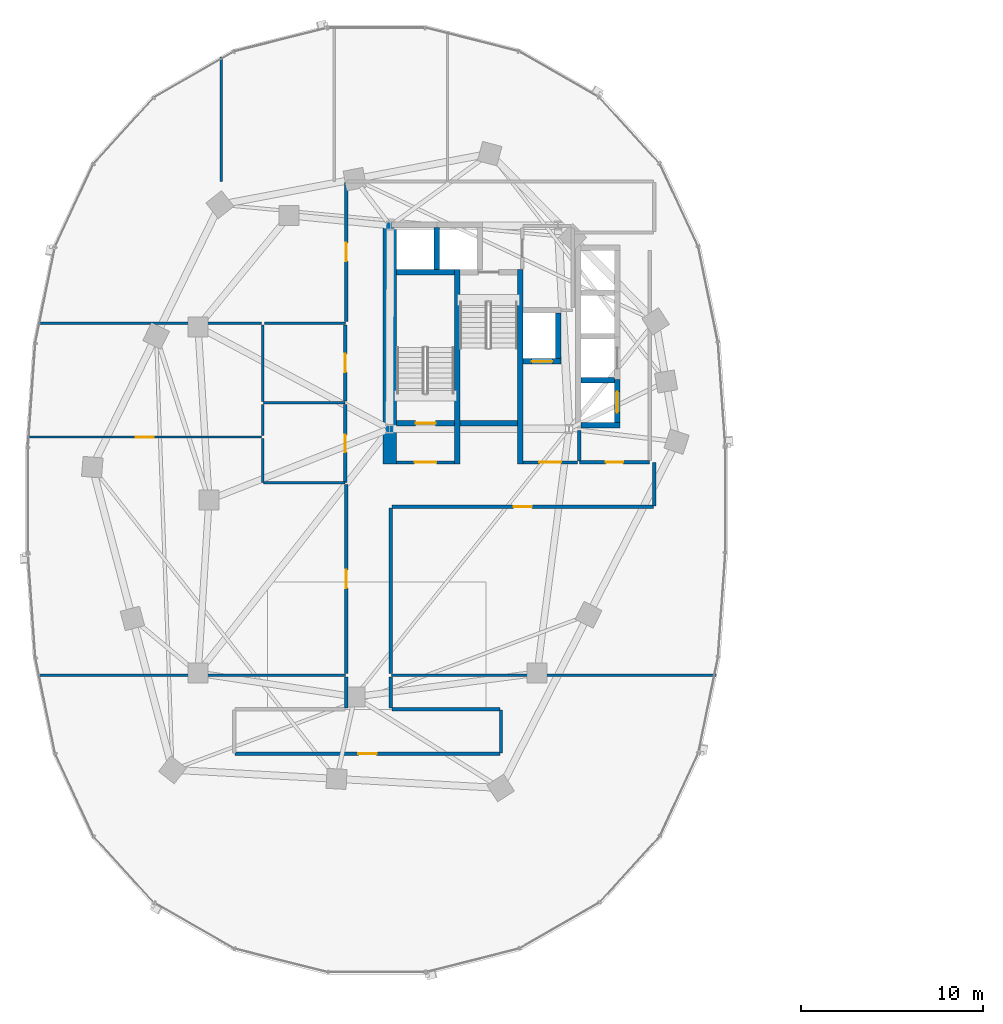
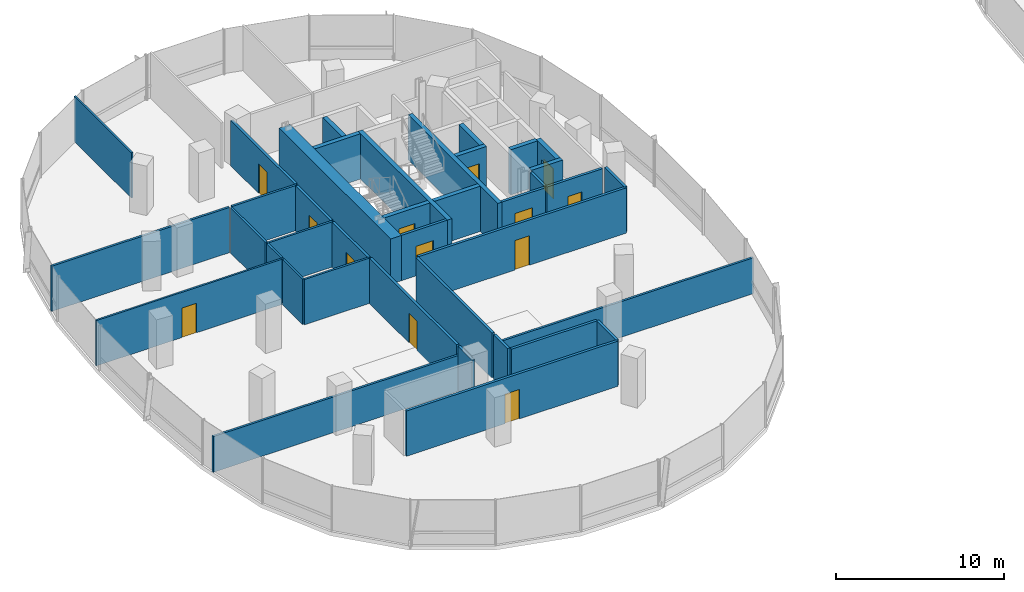
# One storey, part 11 of 21: 39 walls, 13 doors, 13 openings.
"""IFC4 building model written with IfcOpenShell, lengths in metres."""

from ifc_helpers import new_model, si_unit, direction, frame, frame_2d, origin, place, context, subcontext, project, spatial, rectangle, extrude, material, layer, layer_set, type_object, element, fill, save


model = new_model("IFC4")

# Units and contexts
model_context = context("Model", 3, precision=1e-05, world=origin(), true_north=direction((0.0, 1.0)))
body_context = subcontext(model_context, "Body", "Model", "MODEL_VIEW")
ifc_project = project(units=[si_unit("LENGTHUNIT", "METRE"), si_unit("AREAUNIT", "SQUARE_METRE"), si_unit("VOLUMEUNIT", "CUBIC_METRE"), si_unit("PLANEANGLEUNIT", "RADIAN"), si_unit("MASSUNIT", "GRAM", prefix="KILO"), si_unit("THERMODYNAMICTEMPERATUREUNIT", "KELVIN"), si_unit("POWERUNIT", "WATT")], contexts=[model_context])

# Site, building, storey
site_placement = place(None, origin())
site = spatial("IfcSite", under=ifc_project, at=site_placement, CompositionType="ELEMENT")
building_placement = place(site_placement, origin())
building = spatial("IfcBuilding", under=site, at=building_placement, Name="Cundina Bronze Exchange", CompositionType="ELEMENT")
storey_placement = place(building_placement, frame((0.0, 0.0, 92.60009765625)))
storey = spatial("IfcBuildingStorey", under=building, at=storey_placement, Name="L23", CompositionType="ELEMENT", Elevation=92.60009765625)

# Wall
ifc_material_1 = material(Name="Gypsum Fireboard Partition EI120")
ifc_layer_1 = layer(ifc_material_1, 0.179931640625, Name="Gypsum Fireboard Partition EI120")
ifc_layer_set_1 = layer_set([ifc_layer_1], Name="Gypsum Fireboard Partition EI120")
wall_type_1 = type_object("IfcWallType", Name="WL-COR-180", PredefinedType="PARTITIONING", material=ifc_layer_set_1)
wall_1_placement = place(storey_placement, frame((-20.889892578125, 2.14990234375, 0.0), z_axis=(0.0, 0.0, 1.0), x_axis=(0.0, 1.0, 0.0)))
element("IfcWall", 1, at=wall_1_placement, inside=storey, type_object=wall_type_1, Name="L23 W Firefighting Lobby Side Wall", PredefinedType="PARTITIONING", context=body_context, shape_type="SweptSolid", body=[
    extrude(rectangle(XDim=1.650146484375, YDim=0.179931640625, at=frame_2d((0.8251953125, 0.0))), origin(), (0.0, 0.0, 1.0), 3.2998046875),
])

# Wall, opening, door
wall_2_placement = place(storey_placement, frame((-23.97998046875, 2.06005859375, 0.0), z_axis=(0.0, 0.0, 1.0), x_axis=(1.0, 0.0, 0.0)))
wall_2 = element("IfcWall", 2, at=wall_2_placement, inside=storey, type_object=wall_type_1, Name="L23 W Firefighting Lobby Exit Wall", PredefinedType="PARTITIONING", context=body_context, shape_type="SweptSolid", body=[
    extrude(rectangle(XDim=3.0, YDim=0.179931640625, at=frame_2d((1.5, 0.0))), origin(), (0.0, 0.0, 1.0), 3.2998046875),
])
opening_1_placement = place(wall_2_placement, frame((0.89990234375, 0.0, 0.0)))
opening_1 = element("IfcOpeningElement", 3, at=opening_1_placement, cuts=wall_2, Name="Opening DF-01", PredefinedType="OPENING", context=body_context, shape_type="SweptSolid", body=[
    extrude(rectangle(XDim=1.199951171875, YDim=2.14990234375, at=frame_2d((0.60009765625, 1.074951171875))), frame((0.0, 0.099853515625, 0.0), z_axis=(0.0, -1.0, 0.0), x_axis=(1.0, 0.0, 0.0)), (0.0, 0.0, 1.0), 0.199951171875),
])
ifc_material_2 = material(Name="Steel ASTM A36 Painted", Category="steel")
door_type_1 = type_object("IfcDoorType", Name="DR-FFL-1200", OperationType="NOTDEFINED", PredefinedType="DOOR", material=ifc_material_2)
door_1_placement = place(opening_1_placement, origin())
door_1 = element("IfcDoor", 4, at=door_1_placement, inside=storey, type_object=door_type_1, Name="L23 W Firefighting Lobby Door", OperationType="SINGLE_SWING_RIGHT", OverallHeight=2.14990234375, OverallWidth=1.199951171875, PredefinedType="DOOR", context=body_context, shape_type="SweptSolid", body=[
    extrude(rectangle(XDim=1.199951171875, YDim=2.14990234375, at=frame_2d((0.60009765625, 1.074951171875))), frame((0.0, 0.02490234375, 0.0), z_axis=(0.0, -1.0, 0.0), x_axis=(1.0, 0.0, 0.0)), (0.0, 0.0, 1.0), 0.050048828125),
])
fill(opening_1, door_1)

wall_3_placement = place(storey_placement, frame((-30.89990234375, 2.06005859375, 0.0), z_axis=(0.0, 0.0, 1.0), x_axis=(1.0, 0.0, 0.0)))
wall_3 = element("IfcWall", 5, at=wall_3_placement, inside=storey, type_object=wall_type_1, Name="L23 W Stair Vestibule Exit Wall", PredefinedType="PARTITIONING", context=body_context, shape_type="SweptSolid", body=[
    extrude(rectangle(XDim=3.159912109375, YDim=0.179931640625, at=frame_2d((1.580078125, 0.0))), origin(), (0.0, 0.0, 1.0), 3.2998046875),
])
opening_2_placement = place(wall_3_placement, frame((0.97998046875, 0.0, 0.0)))
opening_2 = element("IfcOpeningElement", 6, at=opening_2_placement, cuts=wall_3, Name="Opening DF-01", PredefinedType="OPENING", context=body_context, shape_type="SweptSolid", body=[
    extrude(rectangle(XDim=1.199951171875, YDim=2.14990234375, at=frame_2d((0.60009765625, 1.074951171875))), frame((0.0, 0.099853515625, 0.0), z_axis=(0.0, -1.0, 0.0), x_axis=(1.0, 0.0, 0.0)), (0.0, 0.0, 1.0), 0.199951171875),
])
door_2_placement = place(opening_2_placement, origin())
door_2 = element("IfcDoor", 7, at=door_2_placement, inside=storey, type_object=door_type_1, Name="L23 W Stair Vestibule Door", OperationType="SINGLE_SWING_LEFT", OverallHeight=2.14990234375, OverallWidth=1.199951171875, PredefinedType="DOOR", context=body_context, shape_type="SweptSolid", body=[
    extrude(rectangle(XDim=1.199951171875, YDim=2.14990234375, at=frame_2d((0.60009765625, 1.074951171875))), frame((0.0, 0.02490234375, 0.0), z_axis=(0.0, -1.0, 0.0), x_axis=(1.0, 0.0, 0.0)), (0.0, 0.0, 1.0), 0.050048828125),
])
fill(opening_2, door_2)

wall_4_placement = place(storey_placement, frame((-20.8701171875, 2.070068359375, 0.0), z_axis=(0.0, 0.0, 1.0), x_axis=(1.0, 0.0, 0.0)))
wall_4 = element("IfcWall", 8, at=wall_4_placement, inside=storey, type_object=wall_type_1, Name="L23 Interior Partition 002", PredefinedType="PARTITIONING", context=body_context, shape_type="SweptSolid", body=[
    extrude(rectangle(XDim=3.830078125, YDim=0.179931640625, at=frame_2d((1.9150390625, 0.0))), origin(), (0.0, 0.0, 1.0), 3.2998046875),
])
opening_3_placement = place(wall_4_placement, frame((1.43994140625, 0.0, 0.0)))
opening_3 = element("IfcOpeningElement", 9, at=opening_3_placement, cuts=wall_4, Name="Opening DW-01", PredefinedType="OPENING", context=body_context, shape_type="SweptSolid", body=[
    extrude(rectangle(XDim=0.949951171875, YDim=2.10009765625, at=frame_2d((0.47509765625, 1.050048828125))), frame((0.0, 0.099853515625, 0.0), z_axis=(0.0, -1.0, 0.0), x_axis=(1.0, 0.0, 0.0)), (0.0, 0.0, 1.0), 0.199951171875),
])
ifc_material_3 = material(Name="Solid Andean Oak Timber Grade A", Category="wood")
door_type_2 = type_object("IfcDoorType", Name="DR-WC-950", OperationType="NOTDEFINED", PredefinedType="DOOR", material=ifc_material_3)
door_3_placement = place(opening_3_placement, origin())
door_3 = element("IfcDoor", 10, at=door_3_placement, inside=storey, type_object=door_type_2, Name="L23 Interior Door 002", OperationType="SINGLE_SWING_RIGHT", OverallHeight=2.10009765625, OverallWidth=0.949951171875, PredefinedType="DOOR", context=body_context, shape_type="SweptSolid", body=[
    extrude(rectangle(XDim=0.949951171875, YDim=2.10009765625, at=frame_2d((0.47509765625, 1.050048828125))), frame((0.0, 0.02490234375, 0.0), z_axis=(0.0, -1.0, 0.0), x_axis=(1.0, 0.0, 0.0)), (0.0, 0.0, 1.0), 0.050048828125),
])
fill(opening_3, door_3)

wall_5_placement = place(storey_placement, frame((-33.719970703125, 0.969970703125, 0.0), z_axis=(0.0, 0.0, 1.0), x_axis=(0.0, 1.0, 0.0)))
wall_5 = element("IfcWall", 11, at=wall_5_placement, inside=storey, type_object=wall_type_1, Name="L23 Interior Partition 012", PredefinedType="PARTITIONING", context=body_context, shape_type="SweptSolid", body=[
    extrude(rectangle(XDim=4.260009765625, YDim=0.179931640625, at=frame_2d((2.1298828125, 0.0))), origin(), (0.0, 0.0, 1.0), 3.2998046875),
])
opening_4_placement = place(wall_5_placement, frame((1.655029296875, 0.0, 0.0)))
opening_4 = element("IfcOpeningElement", 12, at=opening_4_placement, cuts=wall_5, Name="Opening DW-01", PredefinedType="OPENING", context=body_context, shape_type="SweptSolid", body=[
    extrude(rectangle(XDim=0.949951171875, YDim=2.10009765625, at=frame_2d((0.47509765625, 1.050048828125))), frame((0.0, 0.099853515625, 0.0), z_axis=(0.0, -1.0, 0.0), x_axis=(1.0, 0.0, 0.0)), (0.0, 0.0, 1.0), 0.199951171875),
])
door_4_placement = place(opening_4_placement, origin())
door_4 = element("IfcDoor", 13, at=door_4_placement, inside=storey, type_object=door_type_2, Name="L23 Interior Door 012", OperationType="SINGLE_SWING_LEFT", OverallHeight=2.10009765625, OverallWidth=0.949951171875, PredefinedType="DOOR", context=body_context, shape_type="SweptSolid", body=[
    extrude(rectangle(XDim=0.949951171875, YDim=2.10009765625, at=frame_2d((0.47509765625, 1.050048828125))), frame((0.0, 0.02490234375, 0.0), z_axis=(0.0, -1.0, 0.0), x_axis=(1.0, 0.0, 0.0)), (0.0, 0.0, 1.0), 0.050048828125),
])
fill(opening_4, door_4)

wall_6_placement = place(storey_placement, frame((-33.719970703125, 5.429931640625, 0.0), z_axis=(0.0, 0.0, 1.0), x_axis=(0.0, 1.0, 0.0)))
wall_6 = element("IfcWall", 14, at=wall_6_placement, inside=storey, type_object=wall_type_1, Name="L23 Interior Partition 013", PredefinedType="PARTITIONING", context=body_context, shape_type="SweptSolid", body=[
    extrude(rectangle(XDim=4.16015625, YDim=0.179931640625, at=frame_2d((2.080078125, 0.0))), origin(), (0.0, 0.0, 1.0), 3.2998046875),
])
opening_5_placement = place(wall_6_placement, frame((1.580078125, 0.0, 0.0)))
opening_5 = element("IfcOpeningElement", 15, at=opening_5_placement, cuts=wall_6, Name="Opening DO-01", PredefinedType="OPENING", context=body_context, shape_type="SweptSolid", body=[
    extrude(rectangle(XDim=1.0, YDim=2.14990234375, at=frame_2d((0.5, 1.074951171875))), frame((0.0, 0.099853515625, 0.0), z_axis=(0.0, -1.0, 0.0), x_axis=(1.0, 0.0, 0.0)), (0.0, 0.0, 1.0), 0.199951171875),
])
door_type_3 = type_object("IfcDoorType", Name="DR-OFF-1000", OperationType="NOTDEFINED", PredefinedType="DOOR", material=ifc_material_3)
door_5_placement = place(opening_5_placement, origin())
door_5 = element("IfcDoor", 16, at=door_5_placement, inside=storey, type_object=door_type_3, Name="L23 Interior Door 013", OperationType="SINGLE_SWING_RIGHT", OverallHeight=2.14990234375, OverallWidth=1.0, PredefinedType="DOOR", context=body_context, shape_type="SweptSolid", body=[
    extrude(rectangle(XDim=1.0, YDim=2.14990234375, at=frame_2d((0.5, 1.074951171875))), frame((0.0, 0.02490234375, 0.0), z_axis=(0.0, -1.0, 0.0), x_axis=(1.0, 0.0, 0.0)), (0.0, 0.0, 1.0), 0.050048828125),
])
fill(opening_5, door_5)

wall_7_placement = place(storey_placement, frame((-39.778564453125, -13.919921875, 0.0), z_axis=(0.0, 0.0, 1.0), x_axis=(1.0, 0.0, 0.0)))
wall_7 = element("IfcWall", 17, at=wall_7_placement, inside=storey, type_object=wall_type_1, Name="L23 Interior Partition 021", PredefinedType="PARTITIONING", context=body_context, shape_type="SweptSolid", body=[
    extrude(rectangle(XDim=14.55712890625, YDim=0.179931640625, at=frame_2d((7.278564453125, 0.0))), origin(), (0.0, 0.0, 1.0), 3.2998046875),
])
opening_6_placement = place(wall_7_placement, frame((6.778564453125, 0.0, 0.0)))
opening_6 = element("IfcOpeningElement", 18, at=opening_6_placement, cuts=wall_7, Name="Opening DO-01", PredefinedType="OPENING", context=body_context, shape_type="SweptSolid", body=[
    extrude(rectangle(XDim=1.0, YDim=2.14990234375, at=frame_2d((0.5, 1.074951171875))), frame((0.0, 0.099853515625, 0.0), z_axis=(0.0, -1.0, 0.0), x_axis=(1.0, 0.0, 0.0)), (0.0, 0.0, 1.0), 0.199951171875),
])
door_6_placement = place(opening_6_placement, origin())
door_6 = element("IfcDoor", 19, at=door_6_placement, inside=storey, type_object=door_type_3, Name="L23 Interior Door 021", OperationType="SINGLE_SWING_RIGHT", OverallHeight=2.14990234375, OverallWidth=1.0, PredefinedType="DOOR", context=body_context, shape_type="SweptSolid", body=[
    extrude(rectangle(XDim=1.0, YDim=2.14990234375, at=frame_2d((0.5, 1.074951171875))), frame((0.0, 0.02490234375, 0.0), z_axis=(0.0, -1.0, 0.0), x_axis=(1.0, 0.0, 0.0)), (0.0, 0.0, 1.0), 0.050048828125),
])
fill(opening_6, door_6)

# Walls
wall_8_placement = place(storey_placement, frame((-25.221435546875, -11.47998046875, 0.0), z_axis=(0.0, 0.0, 1.0), x_axis=(-1.0, 0.0, 0.0)))
element("IfcWall", 20, at=wall_8_placement, inside=storey, type_object=wall_type_1, Name="L23 Interior Partition 023", PredefinedType="PARTITIONING", context=body_context, shape_type="SweptSolid", body=[
    extrude(rectangle(XDim=5.928466796875, YDim=0.179931640625, at=frame_2d((2.96435546875, 0.0))), origin(), (0.0, 0.0, 1.0), 3.2998046875),
])
wall_9_placement = place(storey_placement, frame((-25.179931640625, -13.87841796875, 0.0), z_axis=(0.0, 0.0, 1.0), x_axis=(0.0, 1.0, 0.0)))
element("IfcWall", 21, at=wall_9_placement, inside=storey, type_object=wall_type_1, Name="L23 Interior Partition 025", PredefinedType="PARTITIONING", context=body_context, shape_type="SweptSolid", body=[
    extrude(rectangle(XDim=2.35693359375, YDim=0.179931640625, at=frame_2d((1.178466796875, 0.0))), origin(), (0.0, 0.0, 1.0), 3.2998046875),
])
for number, where, z_axis, x_axis, name in (
    (22, (-33.669921875, -9.7099609375, 0.0), (0.0, 0.0, 1.0), (0.0, -1.0, 0.0), "L23 Interior Partition 026"),
    (23, (-31.22998046875, -11.39990234375, 0.0), (0.0, 0.0, 1.0), (0.0, 1.0, 0.0), "L23 Interior Partition 027"),
):
    element("IfcWall", number, at=place(storey_placement, frame(where, z_axis=z_axis, x_axis=x_axis)), inside=storey, type_object=wall_type_1, Name=name, PredefinedType="PARTITIONING", context=body_context, shape_type="SweptSolid", body=[
        extrude(rectangle(XDim=1.68994140625, YDim=0.179931640625, at=frame_2d((0.844970703125, 0.0))), origin(), (0.0, 0.0, 1.0), 3.2998046875),
    ])

# Wall, opening, door
wall_10_placement = place(storey_placement, frame((-33.669921875, 0.858642578125, 0.0), z_axis=(0.0, 0.0, 1.0), x_axis=(0.0, -1.0, 0.0)))
wall_10 = element("IfcWall", 24, at=wall_10_placement, inside=storey, type_object=wall_type_1, Name="L23 Interior Partition 028", PredefinedType="PARTITIONING", context=body_context, shape_type="SweptSolid", body=[
    extrude(rectangle(XDim=10.388671875, YDim=0.179931640625, at=frame_2d((5.1943359375, 0.0))), origin(), (0.0, 0.0, 1.0), 3.2998046875),
])
opening_7_placement = place(wall_10_placement, frame((4.6943359375, 0.0, 0.0)))
opening_7 = element("IfcOpeningElement", 25, at=opening_7_placement, cuts=wall_10, Name="Opening DO-01", PredefinedType="OPENING", context=body_context, shape_type="SweptSolid", body=[
    extrude(rectangle(XDim=1.0, YDim=2.14990234375, at=frame_2d((0.5, 1.074951171875))), frame((0.0, 0.099853515625, 0.0), z_axis=(0.0, -1.0, 0.0), x_axis=(1.0, 0.0, 0.0)), (0.0, 0.0, 1.0), 0.199951171875),
])
door_7_placement = place(opening_7_placement, origin())
door_7 = element("IfcDoor", 26, at=door_7_placement, inside=storey, type_object=door_type_3, Name="L23 Interior Door 028", OperationType="SINGLE_SWING_RIGHT", OverallHeight=2.14990234375, OverallWidth=1.0, PredefinedType="DOOR", context=body_context, shape_type="SweptSolid", body=[
    extrude(rectangle(XDim=1.0, YDim=2.14990234375, at=frame_2d((0.5, 1.074951171875))), frame((0.0, 0.02490234375, 0.0), z_axis=(0.0, -1.0, 0.0), x_axis=(1.0, 0.0, 0.0)), (0.0, 0.0, 1.0), 0.050048828125),
])
fill(opening_7, door_7)

wall_11_placement = place(storey_placement, frame((-31.14990234375, -0.3701171875, 0.0), z_axis=(0.0, 0.0, 1.0), x_axis=(1.0, 0.0, 0.0)))
wall_11 = element("IfcWall", 27, at=wall_11_placement, inside=storey, type_object=wall_type_1, Name="L23 Interior Partition 029", PredefinedType="PARTITIONING", context=body_context, shape_type="SweptSolid", body=[
    extrude(rectangle(XDim=14.328369140625, YDim=0.179931640625, at=frame_2d((7.1640625, 0.0))), origin(), (0.0, 0.0, 1.0), 3.2998046875),
])
opening_8_placement = place(wall_11_placement, frame((6.664306640625, 0.0, 0.0)))
opening_8 = element("IfcOpeningElement", 28, at=opening_8_placement, cuts=wall_11, Name="Opening DO-01", PredefinedType="OPENING", context=body_context, shape_type="SweptSolid", body=[
    extrude(rectangle(XDim=1.0, YDim=2.14990234375, at=frame_2d((0.5, 1.074951171875))), frame((0.0, 0.099853515625, 0.0), z_axis=(0.0, -1.0, 0.0), x_axis=(1.0, 0.0, 0.0)), (0.0, 0.0, 1.0), 0.199951171875),
])
door_8_placement = place(opening_8_placement, origin())
door_8 = element("IfcDoor", 29, at=door_8_placement, inside=storey, type_object=door_type_3, Name="L23 Interior Door 029", OperationType="SINGLE_SWING_RIGHT", OverallHeight=2.14990234375, OverallWidth=1.0, PredefinedType="DOOR", context=body_context, shape_type="SweptSolid", body=[
    extrude(rectangle(XDim=1.0, YDim=2.14990234375, at=frame_2d((0.5, 1.074951171875))), frame((0.0, 0.02490234375, 0.0), z_axis=(0.0, -1.0, 0.0), x_axis=(1.0, 0.0, 0.0)), (0.0, 0.0, 1.0), 0.050048828125),
])
fill(opening_8, door_8)

# Walls
wall_12_placement = place(storey_placement, frame((-31.22998046875, -9.530029296875, 0.0), z_axis=(0.0, 0.0, 1.0), x_axis=(0.0, 1.0, 0.0)))
element("IfcWall", 30, at=wall_12_placement, inside=storey, type_object=wall_type_1, Name="L23 Interior Partition 031", PredefinedType="PARTITIONING", context=body_context, shape_type="SweptSolid", body=[
    extrude(rectangle(XDim=9.080078125, YDim=0.179931640625, at=frame_2d((4.5400390625, 0.0))), origin(), (0.0, 0.0, 1.0), 3.2998046875),
])
wall_13_placement = place(storey_placement, frame((-16.780029296875, -0.32861328125, 0.0), z_axis=(0.0, 0.0, 1.0), x_axis=(0.0, 1.0, 0.0)))
element("IfcWall", 31, at=wall_13_placement, inside=storey, type_object=wall_type_1, Name="L23 Interior Partition 034", PredefinedType="PARTITIONING", context=body_context, shape_type="SweptSolid", body=[
    extrude(rectangle(XDim=2.38720703125, YDim=0.179931640625, at=frame_2d((1.193603515625, 0.0))), origin(), (0.0, 0.0, 1.0), 3.2998046875),
])

# Wall, opening, door
wall_14_placement = place(storey_placement, frame((-33.669921875, 17.428466796875, 0.0), z_axis=(0.0, 0.0, 1.0), x_axis=(0.0, -1.0, 0.0)))
wall_14 = element("IfcWall", 32, at=wall_14_placement, inside=storey, type_object=wall_type_1, Name="L23 Interior Partition 035", PredefinedType="PARTITIONING", context=body_context, shape_type="SweptSolid", body=[
    extrude(rectangle(XDim=7.638427734375, YDim=0.179931640625, at=frame_2d((3.8193359375, 0.0))), origin(), (0.0, 0.0, 1.0), 3.2998046875),
])
opening_9_placement = place(wall_14_placement, frame((3.3193359375, 0.0, 0.0)))
opening_9 = element("IfcOpeningElement", 33, at=opening_9_placement, cuts=wall_14, Name="Opening DO-01", PredefinedType="OPENING", context=body_context, shape_type="SweptSolid", body=[
    extrude(rectangle(XDim=1.0, YDim=2.14990234375, at=frame_2d((0.5, 1.074951171875))), frame((0.0, 0.099853515625, 0.0), z_axis=(0.0, -1.0, 0.0), x_axis=(1.0, 0.0, 0.0)), (0.0, 0.0, 1.0), 0.199951171875),
])
door_9_placement = place(opening_9_placement, origin())
door_9 = element("IfcDoor", 34, at=door_9_placement, inside=storey, type_object=door_type_3, Name="L23 Interior Door 035", OperationType="SINGLE_SWING_RIGHT", OverallHeight=2.14990234375, OverallWidth=1.0, PredefinedType="DOOR", context=body_context, shape_type="SweptSolid", body=[
    extrude(rectangle(XDim=1.0, YDim=2.14990234375, at=frame_2d((0.5, 1.074951171875))), frame((0.0, 0.02490234375, 0.0), z_axis=(0.0, -1.0, 0.0), x_axis=(1.0, 0.0, 0.0)), (0.0, 0.0, 1.0), 0.050048828125),
])
fill(opening_9, door_9)

# Walls
ifc_material_4 = material(Name="Concrete C60/75", Category="concrete")
ifc_layer_2 = layer(ifc_material_4, 0.75, Name="Concrete C60/75", Category="concrete")
ifc_layer_set_2 = layer_set([ifc_layer_2], Name="Concrete C60/75")
wall_type_2 = type_object("IfcWallType", Name="WL-CORE-750", PredefinedType="SHEAR", material=ifc_layer_set_2)
wall_15_placement = place(storey_placement, frame((-31.27490234375, 1.969970703125, 0.0), z_axis=(0.0, 0.0, 1.0), x_axis=(0.0, 1.0, 0.0)))
element("IfcWall", 35, at=wall_15_placement, inside=storey, type_object=wall_type_2, Name="L23 W Primary Core Shear Spine Wall", PredefinedType="SHEAR", context=body_context, shape_type="SweptSolid", body=[
    extrude(rectangle(XDim=13.330078125, YDim=0.75, at=frame_2d((6.6650390625, 0.0))), origin(), (0.0, 0.0, 1.0), 3.2998046875),
])
ifc_material_5 = material(Name="Gypsum Acoustic Partition EI60")
ifc_layer_3 = layer(ifc_material_5, 0.125, Name="Gypsum Acoustic Partition EI60")
ifc_layer_set_3 = layer_set([ifc_layer_3], Name="Gypsum Acoustic Partition EI60")
wall_type_3 = type_object("IfcWallType", Name="WL-OFF-125", PredefinedType="PARTITIONING", material=ifc_layer_set_3)
wall_16_placement = place(storey_placement, frame((-40.52001953125, 17.469970703125, 0.0), z_axis=(0.0, 0.0, 1.0), x_axis=(0.0, 1.0, 0.0)))
element("IfcWall", 36, at=wall_16_placement, inside=storey, type_object=wall_type_3, Name="L23 Interior Partition 018", PredefinedType="PARTITIONING", context=body_context, shape_type="SweptSolid", body=[
    extrude(rectangle(XDim=6.830810546875, YDim=0.125, at=frame_2d((3.41552734375, 0.0))), origin(), (0.0, 0.0, 1.0), 3.2998046875),
])

# Wall, opening, door
wall_17_placement = place(storey_placement, frame((-38.320068359375, 3.449951171875, 0.0), z_axis=(0.0, 0.0, 1.0), x_axis=(-1.0, 0.0, 0.0)))
wall_17 = element("IfcWall", 37, at=wall_17_placement, inside=storey, type_object=wall_type_3, Name="L23 Interior Partition 037", PredefinedType="PARTITIONING", context=body_context, shape_type="SweptSolid", body=[
    extrude(rectangle(XDim=12.792724609375, YDim=0.125, at=frame_2d((6.396484375, 0.0))), origin(), (0.0, 0.0, 1.0), 3.2998046875),
])
opening_10_placement = place(wall_17_placement, frame((5.896484375, 0.0, 0.0)))
opening_10 = element("IfcOpeningElement", 38, at=opening_10_placement, cuts=wall_17, Name="Opening DO-01", PredefinedType="OPENING", context=body_context, shape_type="SweptSolid", body=[
    extrude(rectangle(XDim=1.0, YDim=2.14990234375, at=frame_2d((0.5, 1.074951171875))), frame((0.0, 0.072509765625, 0.0), z_axis=(0.0, -1.0, 0.0), x_axis=(1.0, 0.0, 0.0)), (0.0, 0.0, 1.0), 0.14501953125),
])
door_10_placement = place(opening_10_placement, origin())
door_10 = element("IfcDoor", 39, at=door_10_placement, inside=storey, type_object=door_type_3, Name="L23 Interior Door 037", OperationType="SINGLE_SWING_RIGHT", OverallHeight=2.14990234375, OverallWidth=1.0, PredefinedType="DOOR", context=body_context, shape_type="SweptSolid", body=[
    extrude(rectangle(XDim=1.0, YDim=2.14990234375, at=frame_2d((0.5, 1.074951171875))), frame((0.0, 0.02490234375, 0.0), z_axis=(0.0, -1.0, 0.0), x_axis=(1.0, 0.0, 0.0)), (0.0, 0.0, 1.0), 0.050048828125),
])
fill(opening_10, door_10)

# Walls
ifc_material_6 = material(Name="Concrete C50/60", Category="concrete")
ifc_layer_4 = layer(ifc_material_6, 0.300048828125, Name="Concrete C50/60", Category="concrete")
ifc_layer_set_4 = layer_set([ifc_layer_4], Name="Concrete C50/60")
wall_type_4 = type_object("IfcWallType", Name="WL-SHFT-300", PredefinedType="SHEAR", material=ifc_layer_set_4)
for number, where, z_axis, x_axis, name in (
    (40, (-27.590087890625, 1.969970703125, 0.0), (0.0, 0.0, 1.0), (0.0, 1.0, 0.0), "L23 W Stair Shaft Dividing Shear Wall"),
    (41, (-24.1298828125, 1.969970703125, 0.0), (0.0, 0.0, 1.0), (0.0, 1.0, 0.0), "L23 W Stair 2 East Shear Wall"),
):
    element("IfcWall", number, at=place(storey_placement, frame(where, z_axis=z_axis, x_axis=x_axis)), inside=storey, type_object=wall_type_4, Name=name, PredefinedType="SHEAR", context=body_context, shape_type="SweptSolid", body=[
        extrude(rectangle(XDim=10.679931640625, YDim=0.300048828125, at=frame_2d((5.33984375, 0.0))), origin(), (0.0, 0.0, 1.0), 3.2998046875),
    ])

# Wall, opening, door
wall_18_placement = place(storey_placement, frame((-30.89990234375, 4.199951171875, 0.0), z_axis=(0.0, 0.0, 1.0), x_axis=(1.0, 0.0, 0.0)))
wall_18 = element("IfcWall", 42, at=wall_18_placement, inside=storey, type_object=wall_type_4, Name="L23 Stair W1 Landing Wall", PredefinedType="SHEAR", context=body_context, shape_type="SweptSolid", body=[
    extrude(rectangle(XDim=3.159912109375, YDim=0.300048828125, at=frame_2d((1.580078125, 0.0))), origin(), (0.0, 0.0, 1.0), 3.2998046875),
])
opening_11_placement = place(wall_18_placement, frame((1.030029296875, 0.0, 0.0)))
opening_11 = element("IfcOpeningElement", 43, at=opening_11_placement, cuts=wall_18, Name="Opening DS-01", PredefinedType="OPENING", context=body_context, shape_type="SweptSolid", body=[
    extrude(rectangle(XDim=1.10009765625, YDim=2.14990234375, at=frame_2d((0.550048828125, 1.074951171875))), frame((0.0, 0.159912109375, 0.0), z_axis=(0.0, -1.0, 0.0), x_axis=(1.0, 0.0, 0.0)), (0.0, 0.0, 1.0), 0.320068359375),
])
door_type_4 = type_object("IfcDoorType", Name="DR-STR-1100", OperationType="NOTDEFINED", PredefinedType="DOOR", material=ifc_material_2)
door_11_placement = place(opening_11_placement, origin())
door_11 = element("IfcDoor", 44, at=door_11_placement, inside=storey, type_object=door_type_4, Name="L23 Smokeproof Stair W1 Door", OperationType="SINGLE_SWING_RIGHT", OverallHeight=2.14990234375, OverallWidth=1.10009765625, PredefinedType="DOOR", context=body_context, shape_type="SweptSolid", body=[
    extrude(rectangle(XDim=1.10009765625, YDim=2.14990234375, at=frame_2d((0.550048828125, 1.074951171875))), frame((0.0, 0.02490234375, 0.0), z_axis=(0.0, -1.0, 0.0), x_axis=(1.0, 0.0, 0.0)), (0.0, 0.0, 1.0), 0.050048828125),
])
fill(opening_11, door_11)

# Walls
for number, where, z_axis, x_axis, name in (
    (45, (-30.89990234375, 12.5, 0.0), (0.0, 0.0, 1.0), (1.0, 0.0, 0.0), "L23 Stair W1 Far Shaft Wall"),
    (46, (-27.43994140625, 4.199951171875, 0.0), (0.0, 0.0, 1.0), (1.0, 0.0, 0.0), "L23 Stair W2 Far Shaft Wall"),
):
    element("IfcWall", number, at=place(storey_placement, frame(where, z_axis=z_axis, x_axis=x_axis)), inside=storey, type_object=wall_type_4, Name=name, PredefinedType="SHEAR", context=body_context, shape_type="SweptSolid", body=[
        extrude(rectangle(XDim=3.159912109375, YDim=0.300048828125, at=frame_2d((1.580078125, 0.0))), origin(), (0.0, 0.0, 1.0), 3.2998046875),
    ])

# Wall, opening, door
wall_19_placement = place(storey_placement, frame((-23.97998046875, 7.60009765625, 0.0), z_axis=(0.0, 0.0, 1.0), x_axis=(1.0, 0.0, 0.0)))
wall_19 = element("IfcWall", 47, at=wall_19_placement, inside=storey, type_object=wall_type_4, Name="L23 FFL-W Hoistway Front Wall", PredefinedType="SHEAR", context=body_context, shape_type="SweptSolid", body=[
    extrude(rectangle(XDim=2.10009765625, YDim=0.300048828125, at=frame_2d((1.050048828125, 0.0))), origin(), (0.0, 0.0, 1.0), 3.2998046875),
])
opening_12_placement = place(wall_19_placement, frame((0.47509765625, 0.0, 0.0)))
opening_12 = element("IfcOpeningElement", 48, at=opening_12_placement, cuts=wall_19, Name="Opening LD-01", PredefinedType="OPENING", context=body_context, shape_type="SweptSolid", body=[
    extrude(rectangle(XDim=1.14990234375, YDim=2.199951171875, at=frame_2d((0.574951171875, 1.10009765625))), frame((0.0, 0.159912109375, 0.0), z_axis=(0.0, -1.0, 0.0), x_axis=(1.0, 0.0, 0.0)), (0.0, 0.0, 1.0), 0.320068359375),
])
door_type_5 = type_object("IfcDoorType", Name="DR-LND-1150", OperationType="NOTDEFINED", PredefinedType="TRAPDOOR", material=ifc_material_2)
door_12_placement = place(opening_12_placement, origin())
door_12 = element("IfcDoor", 49, at=door_12_placement, inside=storey, type_object=door_type_5, Name="L23 FFL-W Sliding Landing Door", OperationType="SLIDING_TO_LEFT", OverallHeight=2.199951171875, OverallWidth=1.14990234375, PredefinedType="TRAPDOOR", context=body_context, shape_type="SweptSolid", body=[
    extrude(rectangle(XDim=1.14990234375, YDim=2.199951171875, at=frame_2d((0.574951171875, 1.10009765625))), frame((0.0, 0.02490234375, 0.0), z_axis=(0.0, -1.0, 0.0), x_axis=(1.0, 0.0, 0.0)), (0.0, 0.0, 1.0), 0.050048828125),
])
fill(opening_12, door_12)

# Walls
wall_20_placement = place(storey_placement, frame((-22.030029296875, 7.75, 0.0), z_axis=(0.0, 0.0, 1.0), x_axis=(0.0, 1.0, 0.0)))
element("IfcWall", 50, at=wall_20_placement, inside=storey, type_object=wall_type_4, Name="L23 FFL-W Hoistway Side Wall", PredefinedType="SHEAR", context=body_context, shape_type="SweptSolid", body=[
    extrude(rectangle(XDim=2.5, YDim=0.300048828125, at=frame_2d((1.25, 0.0))), origin(), (0.0, 0.0, 1.0), 3.2998046875),
])
wall_21_placement = place(storey_placement, frame((-28.699951171875, 12.64990234375, 0.0), z_axis=(0.0, 0.0, 1.0), x_axis=(0.0, 1.0, 0.0)))
element("IfcWall", 51, at=wall_21_placement, inside=storey, type_object=wall_type_4, Name="L23 PH-W1 Hoistway Divider Wall", PredefinedType="SHEAR", context=body_context, shape_type="SweptSolid", body=[
    extrude(rectangle(XDim=2.300048828125, YDim=0.300048828125, at=frame_2d((1.14990234375, 0.0))), origin(), (0.0, 0.0, 1.0), 3.2998046875),
])
wall_22_placement = place(storey_placement, frame((-20.800048828125, 4.10009765625, 0.0), z_axis=(0.0, 0.0, 1.0), x_axis=(1.0, 0.0, 0.0)))
element("IfcWall", 52, at=wall_22_placement, inside=storey, type_object=wall_type_4, Name="L23 W Passenger Bank South Cap Wall", PredefinedType="SHEAR", context=body_context, shape_type="SweptSolid", body=[
    extrude(rectangle(XDim=2.150146484375, YDim=0.300048828125, at=frame_2d((1.0751953125, 0.0))), origin(), (0.0, 0.0, 1.0), 3.2998046875),
])
wall_23_placement = place(storey_placement, frame((-20.800048828125, 6.574951171875, 0.0), z_axis=(0.0, 0.0, 1.0), x_axis=(1.0, 0.0, 0.0)))
element("IfcWall", 53, at=wall_23_placement, inside=storey, type_object=wall_type_4, Name="L23 W Passenger Hoistway Divider 1", PredefinedType="SHEAR", context=body_context, shape_type="SweptSolid", body=[
    extrude(rectangle(XDim=1.85009765625, YDim=0.300048828125, at=frame_2d((0.925048828125, 0.0))), origin(), (0.0, 0.0, 1.0), 3.2998046875),
])

# Wall, opening, door
wall_24_placement = place(storey_placement, frame((-18.800048828125, 4.1298828125, 0.0), z_axis=(0.0, 0.0, 1.0), x_axis=(0.0, 1.0, 0.0)))
wall_24 = element("IfcWall", 54, at=wall_24_placement, inside=storey, type_object=wall_type_4, Name="L23 PL-W2 Hoistway Front Wall", PredefinedType="SHEAR", context=body_context, shape_type="SweptSolid", body=[
    extrude(rectangle(XDim=2.490234375, YDim=0.300048828125, at=frame_2d((1.2451171875, 0.0))), origin(), (0.0, 0.0, 1.0), 3.2998046875),
])
opening_13_placement = place(wall_24_placement, frame((0.669921875, 0.0, 0.0)))
opening_13 = element("IfcOpeningElement", 55, at=opening_13_placement, cuts=wall_24, Name="Opening LD-01", PredefinedType="OPENING", context=body_context, shape_type="SweptSolid", body=[
    extrude(rectangle(XDim=1.14990234375, YDim=2.199951171875, at=frame_2d((0.574951171875, 1.10009765625))), frame((0.0, 0.159912109375, 0.0), z_axis=(0.0, -1.0, 0.0), x_axis=(1.0, 0.0, 0.0)), (0.0, 0.0, 1.0), 0.320068359375),
])
door_13_placement = place(opening_13_placement, origin())
door_13 = element("IfcDoor", 56, at=door_13_placement, inside=storey, type_object=door_type_5, Name="L23 PL-W2 Sliding Landing Door", OperationType="SLIDING_TO_LEFT", OverallHeight=2.199951171875, OverallWidth=1.14990234375, PredefinedType="TRAPDOOR", context=body_context, shape_type="SweptSolid", body=[
    extrude(rectangle(XDim=1.14990234375, YDim=2.199951171875, at=frame_2d((0.574951171875, 1.10009765625))), frame((0.0, 0.02490234375, 0.0), z_axis=(0.0, -1.0, 0.0), x_axis=(1.0, 0.0, 0.0)), (0.0, 0.0, 1.0), 0.050048828125),
])
fill(opening_13, door_13)

# Walls
ifc_layer_5 = layer(ifc_material_5, 0.14990234375, Name="Gypsum Acoustic Partition EI60")
ifc_layer_set_5 = layer_set([ifc_layer_5], Name="Gypsum Acoustic Partition EI60")
wall_type_5 = type_object("IfcWallType", Name="WL-TEN-150", PredefinedType="PARTITIONING", material=ifc_layer_set_5)
wall_25_placement = place(storey_placement, frame((-50.60546875, -9.6201171875, 0.0), z_axis=(0.0, 0.0, 1.0), x_axis=(1.0, 0.0, 0.0)))
element("IfcWall", 57, at=wall_25_placement, inside=storey, type_object=wall_type_5, Name="L23 Interior Partition 014", PredefinedType="PARTITIONING", context=body_context, shape_type="SweptSolid", body=[
    extrude(rectangle(XDim=16.905517578125, YDim=0.14990234375, at=frame_2d((8.45263671875, 0.0))), origin(), (0.0, 0.0, 1.0), 2.60498046875),
])
wall_26_placement = place(storey_placement, frame((-31.199951171875, -9.6201171875, 0.0), z_axis=(0.0, 0.0, 1.0), x_axis=(1.0, 0.0, 0.0)))
element("IfcWall", 58, at=wall_26_placement, inside=storey, type_object=wall_type_5, Name="L23 Interior Partition 015", PredefinedType="PARTITIONING", context=body_context, shape_type="SweptSolid", body=[
    extrude(rectangle(XDim=17.805419921875, YDim=0.14990234375, at=frame_2d((8.90283203125, 0.0))), origin(), (0.0, 0.0, 1.0), 2.60498046875),
])
wall_27_placement = place(storey_placement, frame((-50.589111328125, 9.699951171875, 0.0), z_axis=(0.0, 0.0, 1.0), x_axis=(1.0, 0.0, 0.0)))
element("IfcWall", 59, at=wall_27_placement, inside=storey, type_object=wall_type_5, Name="L23 Interior Partition 016", PredefinedType="PARTITIONING", context=body_context, shape_type="SweptSolid", body=[
    extrude(rectangle(XDim=12.26416015625, YDim=0.14990234375, at=frame_2d((6.132080078125, 0.0))), origin(), (0.0, 0.0, 1.0), 3.2998046875),
])
wall_28_placement = place(storey_placement, frame((-38.155029296875, 9.699951171875, 0.0), z_axis=(0.0, 0.0, 1.0), x_axis=(1.0, 0.0, 0.0)))
element("IfcWall", 60, at=wall_28_placement, inside=storey, type_object=wall_type_5, Name="L23 Interior Partition 017", PredefinedType="PARTITIONING", context=body_context, shape_type="SweptSolid", body=[
    extrude(rectangle(XDim=4.455078125, YDim=0.14990234375, at=frame_2d((2.2275390625, 0.0))), origin(), (0.0, 0.0, 1.0), 3.2998046875),
])
ifc_material_7 = material(Name="Moisture-Resistant Masonry Block Grade M15", Category="masonry")
ifc_layer_6 = layer(ifc_material_7, 0.139892578125, Name="Moisture-Resistant Masonry Block Grade M15", Category="masonry")
ifc_layer_set_6 = layer_set([ifc_layer_6], Name="Moisture-Resistant Masonry Block Grade M15")
wall_type_6 = type_object("IfcWallType", Name="WL-WET-140", PredefinedType="PARTITIONING", material=ifc_layer_set_6)
wall_29_placement = place(storey_placement, frame((-38.239990234375, 0.969970703125, 0.0), z_axis=(0.0, 0.0, 1.0), x_axis=(0.0, 1.0, 0.0)))
element("IfcWall", 61, at=wall_29_placement, inside=storey, type_object=wall_type_6, Name="L23 Interior Partition 007", PredefinedType="PARTITIONING", context=body_context, shape_type="SweptSolid", body=[
    extrude(rectangle(XDim=2.39501953125, YDim=0.139892578125, at=frame_2d((1.197509765625, 0.0))), origin(), (0.0, 0.0, 1.0), 3.2998046875),
])
wall_30_placement = place(storey_placement, frame((-38.239990234375, 3.534912109375, 0.0), z_axis=(0.0, 0.0, 1.0), x_axis=(0.0, 1.0, 0.0)))
element("IfcWall", 62, at=wall_30_placement, inside=storey, type_object=wall_type_6, Name="L23 Interior Partition 008", PredefinedType="PARTITIONING", context=body_context, shape_type="SweptSolid", body=[
    extrude(rectangle(XDim=1.710205078125, YDim=0.139892578125, at=frame_2d((0.85498046875, 0.0))), origin(), (0.0, 0.0, 1.0), 3.2998046875),
])
wall_31_placement = place(storey_placement, frame((-38.239990234375, 5.4150390625, 0.0), z_axis=(0.0, 0.0, 1.0), x_axis=(0.0, 1.0, 0.0)))
element("IfcWall", 63, at=wall_31_placement, inside=storey, type_object=wall_type_6, Name="L23 Interior Partition 009", PredefinedType="PARTITIONING", context=body_context, shape_type="SweptSolid", body=[
    extrude(rectangle(XDim=4.175048828125, YDim=0.139892578125, at=frame_2d((2.08740234375, 0.0))), origin(), (0.0, 0.0, 1.0), 3.2998046875),
])
for number, where, z_axis, x_axis, name in (
    (64, (-38.219970703125, 0.949951171875, 0.0), (0.0, 0.0, 1.0), (1.0, 0.0, 0.0), "L23 Interior Partition 010"),
    (65, (-38.219970703125, 5.330078125, 0.0), (0.0, 0.0, 1.0), (1.0, 0.0, 0.0), "L23 Interior Partition 011"),
):
    element("IfcWall", number, at=place(storey_placement, frame(where, z_axis=z_axis, x_axis=x_axis)), inside=storey, type_object=wall_type_6, Name=name, PredefinedType="PARTITIONING", context=body_context, shape_type="SweptSolid", body=[
        extrude(rectangle(XDim=4.47998046875, YDim=0.139892578125, at=frame_2d((2.239990234375, 0.0))), origin(), (0.0, 0.0, 1.0), 3.2998046875),
    ])

save(model, "model.ifc")
